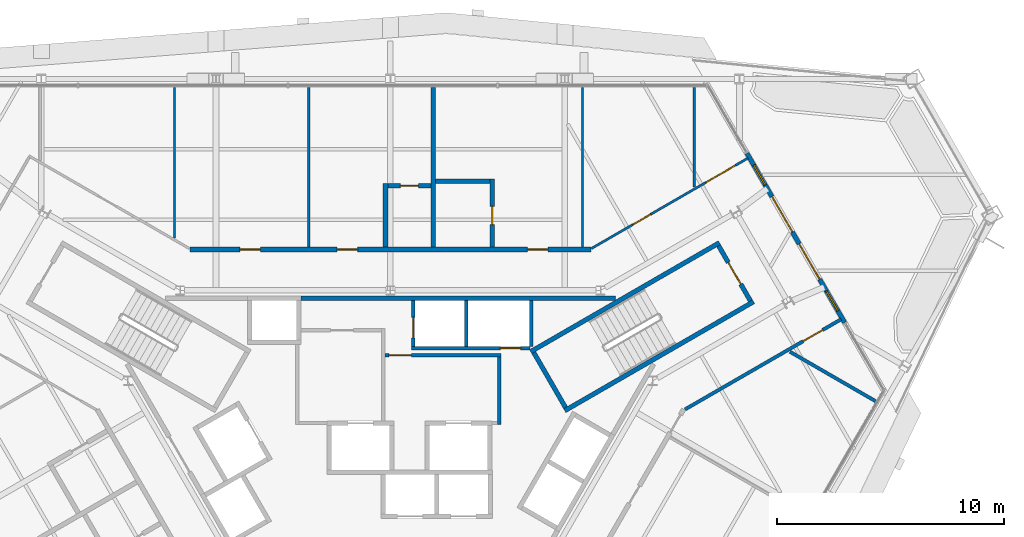
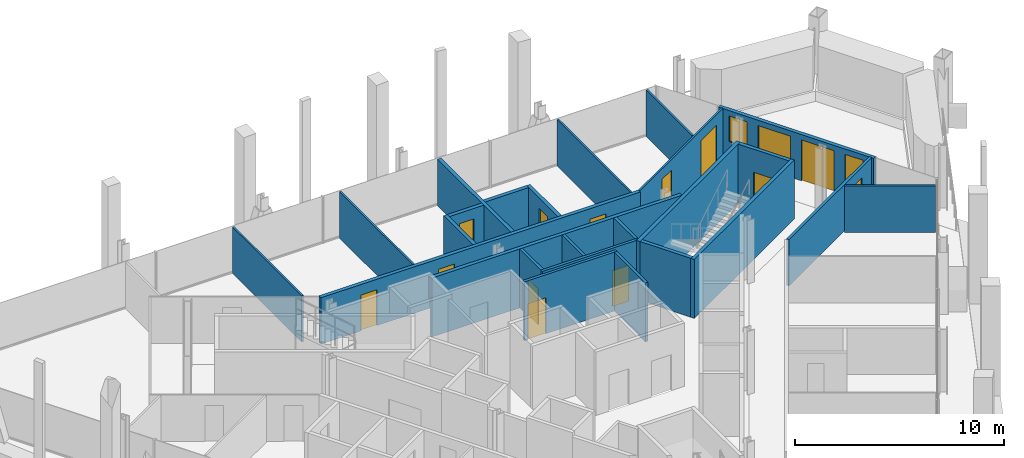
# One storey, part 10 of 13: 25 walls, 14 doors, 2 windows, 16 openings.
"""IFC4 building model written with IfcOpenShell, lengths in metres."""

from ifc_helpers import new_model, si_unit, direction, frame, frame_2d, origin, place, context, subcontext, project, spatial, rectangle, extrude, material, layer, layer_set, type_object, element, fill, save


model = new_model("IFC4")

# Units and contexts
model_context = context("Model", 3, precision=1e-05, world=origin(), true_north=direction((0.0, 1.0)))
body_context = subcontext(model_context, "Body", "Model", "MODEL_VIEW")
ifc_project = project(units=[si_unit("LENGTHUNIT", "METRE"), si_unit("AREAUNIT", "SQUARE_METRE"), si_unit("VOLUMEUNIT", "CUBIC_METRE"), si_unit("PLANEANGLEUNIT", "RADIAN"), si_unit("MASSUNIT", "GRAM", prefix="KILO")], contexts=[model_context])

# Site, building, storey
site_placement = place(None, origin())
site = spatial("IfcSite", under=ifc_project, at=site_placement, CompositionType="ELEMENT")
building_placement = place(site_placement, origin())
building = spatial("IfcBuilding", under=site, at=building_placement, Name="Verrane Prism Tower", CompositionType="ELEMENT")
storey_placement = place(building_placement, frame((0.0, 0.0, 171.0)))
storey = spatial("IfcBuildingStorey", under=building, at=storey_placement, Name="L42", CompositionType="ELEMENT", Elevation=171.0)

# Wall
ifc_material_1 = material(Name="Gypsum board partition", Category="other")
ifc_layer_1 = layer(ifc_material_1, 0.199951171875)
ifc_layer_set_1 = layer_set([ifc_layer_1], Name="CW-200 core boundary wall 2 h")
wall_type_1 = type_object("IfcWallType", Name="CW-200 core boundary wall 2 h", PredefinedType="PARTITIONING", material=ifc_layer_set_1)
wall_1_placement = place(storey_placement, frame((-3.93310546875, 7.659912109375, 0.0), z_axis=(0.0, 0.0, 1.0), x_axis=(1.0, 0.0, 0.0)))
element("IfcWall", 1, at=wall_1_placement, inside=storey, type_object=wall_type_1, Name="Core boundary wall CW3-005", PredefinedType="PARTITIONING", context=body_context, shape_type="SweptSolid", body=[
    extrude(rectangle(XDim=13.841064453125, YDim=0.199951171875, at=frame_2d((6.92041015625, 0.0))), origin(), (0.0, 0.0, 1.0), 3.449951171875),
])

# Wall, opening, door
ifc_material_2 = material(Name="Concrete C40/50", Category="concrete")
ifc_layer_2 = layer(ifc_material_2, 0.199951171875)
ifc_layer_set_2 = layer_set([ifc_layer_2], Name="CW-200 stair core wall concrete C40/50 3 h")
wall_type_2 = type_object("IfcWallType", Name="CW-200 stair core wall concrete C40/50 3 h", PredefinedType="PARTITIONING", material=ifc_layer_set_2)
wall_2_placement = place(storey_placement, frame((15.85546875, 7.53759765625, 0.0), z_axis=(0.0, 0.0, 1.0), x_axis=(-0.500049511043, 0.865996816683, 0.0)))
wall_2 = element("IfcWall", 2, at=wall_2_placement, inside=storey, type_object=wall_type_2, Name="Stair 1 enclosure wall", PredefinedType="PARTITIONING", context=body_context, shape_type="SweptSolid", body=[
    extrude(rectangle(XDim=2.800048828125, YDim=0.199951171875, at=frame_2d((1.39990234375, 0.0))), origin(), (0.0, 0.0, 1.0), 3.449951171875),
])
opening_1_placement = place(wall_2_placement, frame((0.849853515625, 0.0, 0.0)))
opening_1 = element("IfcOpeningElement", 3, at=opening_1_placement, cuts=wall_2, Name="Opening D42500", PredefinedType="OPENING", context=body_context, shape_type="SweptSolid", body=[
    extrude(rectangle(XDim=1.10009765625, YDim=2.10009765625, at=frame_2d((0.550048828125, 1.050048828125))), frame((0.0, 0.10986328125, 0.0), z_axis=(0.0, -1.0, 0.0), x_axis=(1.0, 0.0, 0.0)), (0.0, 0.0, 1.0), 0.219970703125),
])
ifc_material_3 = material(Name="Timber veneered door leaf", Category="wood")
door_type_1 = type_object("IfcDoorType", Name="DR-1100x2100 FD90 single leaf stair", OperationType="NOTDEFINED", PredefinedType="DOOR", material=ifc_material_3)
door_1_placement = place(opening_1_placement, origin())
door_1 = element("IfcDoor", 4, at=door_1_placement, inside=storey, type_object=door_type_1, Name="Stair 1 door", OperationType="SINGLE_SWING_LEFT", OverallHeight=2.10009765625, OverallWidth=1.10009765625, PredefinedType="DOOR", context=body_context, shape_type="SweptSolid", body=[
    extrude(rectangle(XDim=1.10009765625, YDim=2.10009765625, at=frame_2d((0.550048828125, 1.050048828125))), frame((0.0, 0.02490234375, 0.0), z_axis=(0.0, -1.0, 0.0), x_axis=(1.0, 0.0, 0.0)), (0.0, 0.0, 1.0), 0.050048828125),
])
fill(opening_1, door_1)

# Walls
for number, where, z_axis, x_axis, name in (
    (5, (6.17822265625, 5.299072265625, 0.0), (0.0, 0.0, 1.0), (0.866019993635, 0.500009370536, 0.0), "Stair 1 enclosure wall"),
    (6, (7.67822265625, 2.700927734375, 0.0), (0.0, 0.0, 1.0), (0.866019993635, 0.500009370536, 0.0), "Stair 1 enclosure wall"),
):
    element("IfcWall", number, at=place(storey_placement, frame(where, z_axis=z_axis, x_axis=x_axis)), inside=storey, type_object=wall_type_2, Name=name, PredefinedType="PARTITIONING", context=body_context, shape_type="SweptSolid", body=[
        extrude(rectangle(XDim=9.599853515625, YDim=0.199951171875, at=frame_2d((4.7998046875, 0.0))), origin(), (0.0, 0.0, 1.0), 3.449951171875),
    ])
wall_3_placement = place(storey_placement, frame((7.71484375, 2.837646484375, 0.0), z_axis=(0.0, 0.0, 1.0), x_axis=(-0.500049511043, 0.865996816683, 0.0)))
element("IfcWall", 7, at=wall_3_placement, inside=storey, type_object=wall_type_2, Name="Stair 1 enclosure wall", PredefinedType="PARTITIONING", context=body_context, shape_type="SweptSolid", body=[
    extrude(rectangle(XDim=2.800048828125, YDim=0.199951171875, at=frame_2d((1.39990234375, 0.0))), origin(), (0.0, 0.0, 1.0), 3.449951171875),
])

# Wall, openings, doors, windows
ifc_material_4 = material(Name="Aluminium framed insulated glazing", Category="aluminium")
ifc_layer_3 = layer(ifc_material_4, 0.199951171875)
ifc_layer_set_3 = layer_set([ifc_layer_3], Name="Garden screen wall 200")
wall_type_3 = type_object("IfcWallType", Name="Garden screen wall 200", PredefinedType="SOLIDWALL", material=ifc_layer_set_3)
wall_4_placement = place(storey_placement, frame((20.003173828125, 6.58349609375, 0.0), z_axis=(0.0, 0.0, 1.0), x_axis=(-0.499995216735, 0.866028165386, 0.0)))
wall_4 = element("IfcWall", 8, at=wall_4_placement, inside=storey, type_object=wall_type_3, Name="Garden screen wall L42", PredefinedType="SOLIDWALL", context=body_context, shape_type="SweptSolid", body=[
    extrude(rectangle(XDim=8.60009765625, YDim=0.199951171875, at=frame_2d((4.300048828125, 0.0))), origin(), (0.0, 0.0, 1.0), 2.712890625),
])
opening_2_placement = place(wall_4_placement, frame((0.60009765625, 0.0, 0.89990234375)))
opening_2 = element("IfcOpeningElement", 9, at=opening_2_placement, cuts=wall_4, Name="Opening W42701", PredefinedType="OPENING", context=body_context, shape_type="SweptSolid", body=[
    extrude(rectangle(XDim=1.0, YDim=1.5, at=frame_2d((0.5, 0.75))), frame((0.0, 0.10986328125, 0.0), z_axis=(0.0, -1.0, 0.0), x_axis=(1.0, 0.0, 0.0)), (0.0, 0.0, 1.0), 0.219970703125),
])
opening_3_placement = place(wall_4_placement, frame((2.199951171875, 0.0, 0.0)))
opening_3 = element("IfcOpeningElement", 10, at=opening_3_placement, cuts=wall_4, Name="Opening D42701", PredefinedType="OPENING", context=body_context, shape_type="SweptSolid", body=[
    extrude(rectangle(XDim=1.800048828125, YDim=2.39990234375, at=frame_2d((0.89990234375, 1.199951171875))), frame((0.0, 0.10986328125, 0.0), z_axis=(0.0, -1.0, 0.0), x_axis=(1.0, 0.0, 0.0)), (0.0, 0.0, 1.0), 0.219970703125),
])
opening_4_placement = place(wall_4_placement, frame((4.60009765625, 0.0, 0.0)))
opening_4 = element("IfcOpeningElement", 11, at=opening_4_placement, cuts=wall_4, Name="Opening D42702", PredefinedType="OPENING", context=body_context, shape_type="SweptSolid", body=[
    extrude(rectangle(XDim=1.800048828125, YDim=2.39990234375, at=frame_2d((0.89990234375, 1.199951171875))), frame((0.0, 0.10986328125, 0.0), z_axis=(0.0, -1.0, 0.0), x_axis=(1.0, 0.0, 0.0)), (0.0, 0.0, 1.0), 0.219970703125),
])
opening_5_placement = place(wall_4_placement, frame((7.0, 0.0, 0.89990234375)))
opening_5 = element("IfcOpeningElement", 12, at=opening_5_placement, cuts=wall_4, Name="Opening W42702", PredefinedType="OPENING", context=body_context, shape_type="SweptSolid", body=[
    extrude(rectangle(XDim=1.0, YDim=1.5, at=frame_2d((0.5, 0.75))), frame((0.0, 0.10986328125, 0.0), z_axis=(0.0, -1.0, 0.0), x_axis=(1.0, 0.0, 0.0)), (0.0, 0.0, 1.0), 0.219970703125),
])
ifc_material_5 = material(Name="Aluminium framed glazing", Category="aluminium")
door_type_2 = type_object("IfcDoorType", Name="DR-1800x2400 double glazed garden door", OperationType="DOUBLE_DOOR_SINGLE_SWING", PredefinedType="DOOR", material=ifc_material_5)
door_2_placement = place(opening_3_placement, frame((1.800048828125, 0.0, 0.0), z_axis=(0.0, 0.0, 1.0), x_axis=(-1.0, 0.0, 0.0)))
door_2 = element("IfcDoor", 13, at=door_2_placement, inside=storey, type_object=door_type_2, Name="Garden door D42701", OperationType="DOUBLE_DOOR_SINGLE_SWING", OverallHeight=2.39990234375, OverallWidth=1.800048828125, PredefinedType="DOOR", context=body_context, shape_type="SweptSolid", body=[
    extrude(rectangle(XDim=1.800048828125, YDim=2.39990234375, at=frame_2d((0.89990234375, 1.199951171875))), frame((0.0, 0.02490234375, 0.0), z_axis=(0.0, -1.0, 0.0), x_axis=(1.0, 0.0, 0.0)), (0.0, 0.0, 1.0), 0.050048828125),
])
fill(opening_3, door_2)
door_3_placement = place(opening_4_placement, frame((1.800048828125, 0.0, 0.0), z_axis=(0.0, 0.0, 1.0), x_axis=(-1.0, 0.0, 0.0)))
door_3 = element("IfcDoor", 14, at=door_3_placement, inside=storey, type_object=door_type_2, Name="Garden door D42702", OperationType="DOUBLE_DOOR_SINGLE_SWING", OverallHeight=2.39990234375, OverallWidth=1.800048828125, PredefinedType="DOOR", context=body_context, shape_type="SweptSolid", body=[
    extrude(rectangle(XDim=1.800048828125, YDim=2.39990234375, at=frame_2d((0.89990234375, 1.199951171875))), frame((0.0, 0.02490234375, 0.0), z_axis=(0.0, -1.0, 0.0), x_axis=(1.0, 0.0, 0.0)), (0.0, 0.0, 1.0), 0.050048828125),
])
fill(opening_4, door_3)
ifc_material_6 = material(Name="Aluminium framed glazing", Category="aluminium")
window_type = type_object("IfcWindowType", Name="Vent window 1000x1500 top hung", PartitioningType="SINGLE_PANEL", PredefinedType="WINDOW", material=ifc_material_6)
window_1_placement = place(opening_2_placement, origin())
window_1 = element("IfcWindow", 15, at=window_1_placement, inside=storey, type_object=window_type, Name="Vent window W42701", OverallHeight=1.5, OverallWidth=1.0, PartitioningType="SINGLE_PANEL", PredefinedType="WINDOW", context=body_context, shape_type="SweptSolid", body=[
    extrude(rectangle(XDim=1.0, YDim=1.5, at=frame_2d((0.5, 0.75))), frame((0.0, 0.030029296875, 0.0), z_axis=(0.0, -1.0, 0.0), x_axis=(1.0, 0.0, 0.0)), (0.0, 0.0, 1.0), 0.06005859375),
])
fill(opening_2, window_1)
window_2_placement = place(opening_5_placement, origin())
window_2 = element("IfcWindow", 16, at=window_2_placement, inside=storey, type_object=window_type, Name="Vent window W42702", OverallHeight=1.5, OverallWidth=1.0, PartitioningType="SINGLE_PANEL", PredefinedType="WINDOW", context=body_context, shape_type="SweptSolid", body=[
    extrude(rectangle(XDim=1.0, YDim=1.5, at=frame_2d((0.5, 0.75))), frame((0.0, 0.030029296875, 0.0), z_axis=(0.0, -1.0, 0.0), x_axis=(1.0, 0.0, 0.0)), (0.0, 0.0, 1.0), 0.06005859375),
])
fill(opening_5, window_2)

# Wall, opening, door
ifc_material_7 = material(Name="Gypsum board partition", Category="other")
ifc_layer_4 = layer(ifc_material_7, 0.14990234375)
ifc_layer_set_4 = layer_set([ifc_layer_4], Name="LF-150 firefighting lobby wall 1 h")
wall_type_4 = type_object("IfcWallType", Name="LF-150 firefighting lobby wall 1 h", PredefinedType="PARTITIONING", material=ifc_layer_set_4)
wall_5_placement = place(storey_placement, frame((-0.2451171875, 5.139892578125, 0.0), z_axis=(0.0, 0.0, 1.0), x_axis=(1.0, 0.0, 0.0)))
wall_5 = element("IfcWall", 17, at=wall_5_placement, inside=storey, type_object=wall_type_4, Name="Firefighting lobby wall LF1-005", PredefinedType="PARTITIONING", context=body_context, shape_type="SweptSolid", body=[
    extrude(rectangle(XDim=5.110107421875, YDim=0.14990234375, at=frame_2d((2.55517578125, 0.0))), origin(), (0.0, 0.0, 1.0), 3.449951171875),
])
opening_6_placement = place(wall_5_placement, frame((0.175048828125, 0.0, 0.0)))
opening_6 = element("IfcOpeningElement", 18, at=opening_6_placement, cuts=wall_5, Name="Opening D42513", PredefinedType="OPENING", context=body_context, shape_type="SweptSolid", body=[
    extrude(rectangle(XDim=1.0, YDim=2.10009765625, at=frame_2d((0.5, 1.050048828125))), frame((0.0, 0.0849609375, 0.0), z_axis=(0.0, -1.0, 0.0), x_axis=(1.0, 0.0, 0.0)), (0.0, 0.0, 1.0), 0.169921875),
])
ifc_material_8 = material(Name="Timber veneered door leaf", Category="wood")
door_type_3 = type_object("IfcDoorType", Name="DR-1000x2100 FD60 single leaf firefighting lobby", OperationType="NOTDEFINED", PredefinedType="DOOR", material=ifc_material_8)
door_4_placement = place(opening_6_placement, origin())
door_4 = element("IfcDoor", 19, at=door_4_placement, inside=storey, type_object=door_type_3, Name="Firefighting lobby door D42513", OperationType="SINGLE_SWING_LEFT", OverallHeight=2.10009765625, OverallWidth=1.0, PredefinedType="DOOR", context=body_context, shape_type="SweptSolid", body=[
    extrude(rectangle(XDim=1.0, YDim=2.10009765625, at=frame_2d((0.5, 1.050048828125))), frame((0.0, 0.02490234375, 0.0), z_axis=(0.0, -1.0, 0.0), x_axis=(1.0, 0.0, 0.0)), (0.0, 0.0, 1.0), 0.050048828125),
])
fill(opening_6, door_4)

# Walls
wall_6_placement = place(storey_placement, frame((4.7900390625, 2.0849609375, 0.0), z_axis=(0.0, 0.0, 1.0), x_axis=(0.0, 1.0, 0.0)))
element("IfcWall", 20, at=wall_6_placement, inside=storey, type_object=wall_type_4, Name="Firefighting lobby wall LF1-007", PredefinedType="PARTITIONING", context=body_context, shape_type="SweptSolid", body=[
    extrude(rectangle(XDim=2.97998046875, YDim=0.14990234375, at=frame_2d((1.489990234375, 0.0))), origin(), (0.0, 0.0, 1.0), 3.449951171875),
])
ifc_material_9 = material(Name="Gypsum board partition", Category="other")
ifc_layer_5 = layer(ifc_material_9, 0.10009765625)
ifc_layer_set_5 = layer_set([ifc_layer_5], Name="PW-100 room partition")
wall_type_5 = type_object("IfcWallType", Name="PW-100 room partition", PredefinedType="PARTITIONING", material=ifc_layer_set_5)
wall_7_placement = place(storey_placement, frame((-9.5029296875, 10.3056640625, 0.0), z_axis=(0.0, 0.0, 1.0), x_axis=(0.0, 1.0, 0.0)))
element("IfcWall", 21, at=wall_7_placement, inside=storey, type_object=wall_type_5, Name="Room partition 016", PredefinedType="PARTITIONING", context=body_context, shape_type="SweptSolid", body=[
    extrude(rectangle(XDim=6.62939453125, YDim=0.10009765625, at=frame_2d((3.314697265625, 0.0))), origin(), (0.0, 0.0, 1.0), 2.712890625),
])
for number, where, z_axis, x_axis, name in (
    (22, (-3.590087890625, 9.89990234375, 0.0), (0.0, 0.0, 1.0), (0.0, 1.0, 0.0), "Room partition 021"),
    (23, (8.45703125, 9.89990234375, 0.0), (0.0, 0.0, 1.0), (0.0, 1.0, 0.0), "Room partition 035"),
):
    element("IfcWall", number, at=place(storey_placement, frame(where, z_axis=z_axis, x_axis=x_axis)), inside=storey, type_object=wall_type_5, Name=name, PredefinedType="PARTITIONING", context=body_context, shape_type="SweptSolid", body=[
        extrude(rectangle(XDim=7.03515625, YDim=0.10009765625, at=frame_2d((3.517578125, 0.0))), origin(), (0.0, 0.0, 1.0), 2.712890625),
    ])

# Wall, openings, doors
wall_8_placement = place(storey_placement, frame((8.8515625, 9.842529296875, 0.0), z_axis=(0.0, 0.0, 1.0), x_axis=(0.866086037714, 0.499894964244, 0.0)))
wall_8 = element("IfcWall", 24, at=wall_8_placement, inside=storey, type_object=wall_type_5, Name="Room partition 036", PredefinedType="PARTITIONING", context=body_context, shape_type="SweptSolid", body=[
    extrude(rectangle(XDim=7.963134765625, YDim=0.10009765625, at=frame_2d((3.9814453125, 0.0))), origin(), (0.0, 0.0, 1.0), 2.712890625),
])
opening_7_placement = place(wall_8_placement, frame((5.833984375, 0.0, 0.0)))
opening_7 = element("IfcOpeningElement", 25, at=opening_7_placement, cuts=wall_8, Name="Opening D42001", PredefinedType="OPENING", context=body_context, shape_type="SweptSolid", body=[
    extrude(rectangle(XDim=1.5, YDim=2.10009765625, at=frame_2d((0.75, 1.050048828125))), frame((0.0, 0.06005859375, 0.0), z_axis=(0.0, -1.0, 0.0), x_axis=(1.0, 0.0, 0.0)), (0.0, 0.0, 1.0), 0.1201171875),
])
opening_8_placement = place(wall_8_placement, frame((2.114990234375, 0.0, 0.0)))
opening_8 = element("IfcOpeningElement", 26, at=opening_8_placement, cuts=wall_8, Name="Opening D42002", PredefinedType="OPENING", context=body_context, shape_type="SweptSolid", body=[
    extrude(rectangle(XDim=0.89990234375, YDim=2.10009765625, at=frame_2d((0.449951171875, 1.050048828125))), frame((0.0, 0.06005859375, 0.0), z_axis=(0.0, -1.0, 0.0), x_axis=(1.0, 0.0, 0.0)), (0.0, 0.0, 1.0), 0.1201171875),
])
ifc_material_10 = material(Name="Timber veneered door leaf", Category="wood")
door_type_4 = type_object("IfcDoorType", Name="DR-1500x2100 double leaf public", OperationType="NOTDEFINED", PredefinedType="DOOR", material=ifc_material_10)
door_5_placement = place(opening_7_placement, origin())
door_5 = element("IfcDoor", 27, at=door_5_placement, inside=storey, type_object=door_type_4, Name="Sky Garden Lounge door", OperationType="DOUBLE_DOOR_SINGLE_SWING", OverallHeight=2.10009765625, OverallWidth=1.5, PredefinedType="DOOR", context=body_context, shape_type="SweptSolid", body=[
    extrude(rectangle(XDim=1.5, YDim=2.10009765625, at=frame_2d((0.75, 1.050048828125))), frame((0.0, 0.02490234375, 0.0), z_axis=(0.0, -1.0, 0.0), x_axis=(1.0, 0.0, 0.0)), (0.0, 0.0, 1.0), 0.050048828125),
])
fill(opening_7, door_5)
ifc_material_11 = material(Name="Timber veneered door leaf", Category="wood")
door_type_5 = type_object("IfcDoorType", Name="DR-900x2100 single leaf unit", OperationType="NOTDEFINED", PredefinedType="DOOR", material=ifc_material_11)
door_6_placement = place(opening_8_placement, origin())
door_6 = element("IfcDoor", 28, at=door_6_placement, inside=storey, type_object=door_type_5, Name="Kitchen door", OperationType="SINGLE_SWING_RIGHT", OverallHeight=2.10009765625, OverallWidth=0.89990234375, PredefinedType="DOOR", context=body_context, shape_type="SweptSolid", body=[
    extrude(rectangle(XDim=0.89990234375, YDim=2.10009765625, at=frame_2d((0.449951171875, 1.050048828125))), frame((0.0, 0.02490234375, 0.0), z_axis=(0.0, -1.0, 0.0), x_axis=(1.0, 0.0, 0.0)), (0.0, 0.0, 1.0), 0.050048828125),
])
fill(opening_8, door_6)

# Wall
wall_9_placement = place(storey_placement, frame((13.385009765625, 12.545654296875, 0.0), z_axis=(0.0, 0.0, 1.0), x_axis=(0.0, 1.0, 0.0)))
element("IfcWall", 29, at=wall_9_placement, inside=storey, type_object=wall_type_5, Name="Room partition 041", PredefinedType="PARTITIONING", context=body_context, shape_type="SweptSolid", body=[
    extrude(rectangle(XDim=4.389404296875, YDim=0.10009765625, at=frame_2d((2.19482421875, 0.0))), origin(), (0.0, 0.0, 1.0), 2.712890625),
])

# Wall, opening, door
ifc_material_12 = material(Name="Gypsum board partition", Category="other")
ifc_layer_6 = layer(ifc_material_12, 0.14990234375)
ifc_layer_set_6 = layer_set([ifc_layer_6], Name="PW-150 demising wall 1 h")
wall_type_6 = type_object("IfcWallType", Name="PW-150 demising wall 1 h", PredefinedType="PARTITIONING", material=ifc_layer_set_6)
wall_10_placement = place(storey_placement, frame((19.8466796875, 6.724609375, 0.0), z_axis=(0.0, 0.0, 1.0), x_axis=(-0.866069747624, -0.499923186351, 0.0)))
wall_10 = element("IfcWall", 30, at=wall_10_placement, inside=storey, type_object=wall_type_6, Name="Demising wall 040", PredefinedType="PARTITIONING", context=body_context, shape_type="SweptSolid", body=[
    extrude(rectangle(XDim=7.931396484375, YDim=0.14990234375, at=frame_2d((3.9658203125, 0.0))), origin(), (0.0, 0.0, 1.0), 2.712890625),
])
opening_9_placement = place(wall_10_placement, frame((0.92822265625, 0.0, 0.0)))
opening_9 = element("IfcOpeningElement", 31, at=opening_9_placement, cuts=wall_10, Name="Opening D42026", PredefinedType="OPENING", context=body_context, shape_type="SweptSolid", body=[
    extrude(rectangle(XDim=1.0, YDim=2.10009765625, at=frame_2d((0.5, 1.050048828125))), frame((0.0, 0.0849609375, 0.0), z_axis=(0.0, -1.0, 0.0), x_axis=(1.0, 0.0, 0.0)), (0.0, 0.0, 1.0), 0.169921875),
])
ifc_material_13 = material(Name="Timber veneered door leaf", Category="wood")
door_type_6 = type_object("IfcDoorType", Name="DR-1000x2100 FD20 single leaf public", OperationType="NOTDEFINED", PredefinedType="DOOR", material=ifc_material_13)
door_7_placement = place(opening_9_placement, origin())
door_7 = element("IfcDoor", 32, at=door_7_placement, inside=storey, type_object=door_type_6, Name="Sky Garden Lounge door", OperationType="SINGLE_SWING_LEFT", OverallHeight=2.10009765625, OverallWidth=1.0, PredefinedType="DOOR", context=body_context, shape_type="SweptSolid", body=[
    extrude(rectangle(XDim=1.0, YDim=2.10009765625, at=frame_2d((0.5, 1.050048828125))), frame((0.0, 0.02490234375, 0.0), z_axis=(0.0, -1.0, 0.0), x_axis=(1.0, 0.0, 0.0)), (0.0, 0.0, 1.0), 0.050048828125),
])
fill(opening_9, door_7)

# Wall
wall_11_placement = place(storey_placement, frame((17.596435546875, 5.296142578125, 0.0), z_axis=(0.0, 0.0, 1.0), x_axis=(0.866038665277, -0.499977029717, 0.0)))
element("IfcWall", 33, at=wall_11_placement, inside=storey, type_object=wall_type_6, Name="Demising wall 042", PredefinedType="PARTITIONING", context=body_context, shape_type="SweptSolid", body=[
    extrude(rectangle(XDim=4.344482421875, YDim=0.14990234375, at=frame_2d((2.17236328125, 0.0))), origin(), (0.0, 0.0, 1.0), 2.712890625),
])

# Wall, openings, doors
ifc_material_14 = material(Name="Gypsum board partition", Category="other")
ifc_layer_7 = layer(ifc_material_14, 0.199951171875)
ifc_layer_set_7 = layer_set([ifc_layer_7], Name="PW-200 plumbing wall")
wall_type_7 = type_object("IfcWallType", Name="PW-200 plumbing wall", PredefinedType="PARTITIONING", material=ifc_layer_set_7)
wall_12_placement = place(storey_placement, frame((-8.827880859375, 9.800048828125, 0.0), z_axis=(0.0, 0.0, 1.0), x_axis=(1.0, 0.0, 0.0)))
wall_12 = element("IfcWall", 34, at=wall_12_placement, inside=storey, type_object=wall_type_7, Name="Plumbing wall 017", PredefinedType="PARTITIONING", context=body_context, shape_type="SweptSolid", body=[
    extrude(rectangle(XDim=17.65576171875, YDim=0.199951171875, at=frame_2d((8.827880859375, 0.0))), origin(), (0.0, 0.0, 1.0), 2.712890625),
])
opening_10_placement = place(wall_12_placement, frame((14.864013671875, 0.0, 0.0)))
opening_10 = element("IfcOpeningElement", 35, at=opening_10_placement, cuts=wall_12, Name="Opening D42003", PredefinedType="OPENING", context=body_context, shape_type="SweptSolid", body=[
    extrude(rectangle(XDim=0.89990234375, YDim=2.10009765625, at=frame_2d((0.449951171875, 1.050048828125))), frame((0.0, 0.10986328125, 0.0), z_axis=(0.0, -1.0, 0.0), x_axis=(1.0, 0.0, 0.0)), (0.0, 0.0, 1.0), 0.219970703125),
])
opening_11_placement = place(wall_12_placement, frame((6.488037109375, 0.0, 0.0)))
opening_11 = element("IfcOpeningElement", 36, at=opening_11_placement, cuts=wall_12, Name="Opening D42005", PredefinedType="OPENING", context=body_context, shape_type="SweptSolid", body=[
    extrude(rectangle(XDim=0.89990234375, YDim=2.10009765625, at=frame_2d((0.449951171875, 1.050048828125))), frame((0.0, 0.10986328125, 0.0), z_axis=(0.0, -1.0, 0.0), x_axis=(1.0, 0.0, 0.0)), (0.0, 0.0, 1.0), 0.219970703125),
])
opening_12_placement = place(wall_12_placement, frame((2.199951171875, 0.0, 0.0)))
opening_12 = element("IfcOpeningElement", 37, at=opening_12_placement, cuts=wall_12, Name="Opening D42007", PredefinedType="OPENING", context=body_context, shape_type="SweptSolid", body=[
    extrude(rectangle(XDim=0.89990234375, YDim=2.10009765625, at=frame_2d((0.449951171875, 1.050048828125))), frame((0.0, 0.10986328125, 0.0), z_axis=(0.0, -1.0, 0.0), x_axis=(1.0, 0.0, 0.0)), (0.0, 0.0, 1.0), 0.219970703125),
])
ifc_material_15 = material(Name="Timber veneered door leaf", Category="wood")
door_type_7 = type_object("IfcDoorType", Name="DR-900x2100 single leaf inner", OperationType="NOTDEFINED", PredefinedType="DOOR", material=ifc_material_15)
door_8_placement = place(opening_10_placement, origin())
door_8 = element("IfcDoor", 38, at=door_8_placement, inside=storey, type_object=door_type_7, Name="Master Bedroom door", OperationType="SINGLE_SWING_LEFT", OverallHeight=2.10009765625, OverallWidth=0.89990234375, PredefinedType="DOOR", context=body_context, shape_type="SweptSolid", body=[
    extrude(rectangle(XDim=0.89990234375, YDim=2.10009765625, at=frame_2d((0.449951171875, 1.050048828125))), frame((0.0, 0.02490234375, 0.0), z_axis=(0.0, -1.0, 0.0), x_axis=(1.0, 0.0, 0.0)), (0.0, 0.0, 1.0), 0.050048828125),
])
fill(opening_10, door_8)
door_9_placement = place(opening_11_placement, origin())
door_9 = element("IfcDoor", 39, at=door_9_placement, inside=storey, type_object=door_type_7, Name="Bedroom door", OperationType="SINGLE_SWING_LEFT", OverallHeight=2.10009765625, OverallWidth=0.89990234375, PredefinedType="DOOR", context=body_context, shape_type="SweptSolid", body=[
    extrude(rectangle(XDim=0.89990234375, YDim=2.10009765625, at=frame_2d((0.449951171875, 1.050048828125))), frame((0.0, 0.02490234375, 0.0), z_axis=(0.0, -1.0, 0.0), x_axis=(1.0, 0.0, 0.0)), (0.0, 0.0, 1.0), 0.050048828125),
])
fill(opening_11, door_9)
door_10_placement = place(opening_12_placement, origin())
door_10 = element("IfcDoor", 40, at=door_10_placement, inside=storey, type_object=door_type_5, Name="Study door", OperationType="SINGLE_SWING_LEFT", OverallHeight=2.10009765625, OverallWidth=0.89990234375, PredefinedType="DOOR", context=body_context, shape_type="SweptSolid", body=[
    extrude(rectangle(XDim=0.89990234375, YDim=2.10009765625, at=frame_2d((0.449951171875, 1.050048828125))), frame((0.0, 0.02490234375, 0.0), z_axis=(0.0, -1.0, 0.0), x_axis=(1.0, 0.0, 0.0)), (0.0, 0.0, 1.0), 0.050048828125),
])
fill(opening_12, door_10)

# Wall
wall_13_placement = place(storey_placement, frame((-0.214111328125, 9.89990234375, 0.0), z_axis=(0.0, 0.0, 1.0), x_axis=(0.0, 1.0, 0.0)))
element("IfcWall", 41, at=wall_13_placement, inside=storey, type_object=wall_type_7, Name="Plumbing wall 022", PredefinedType="PARTITIONING", context=body_context, shape_type="SweptSolid", body=[
    extrude(rectangle(XDim=2.800048828125, YDim=0.199951171875, at=frame_2d((1.39990234375, 0.0))), origin(), (0.0, 0.0, 1.0), 2.712890625),
])

# Wall, opening, door
wall_14_placement = place(storey_placement, frame((1.785888671875, 12.60009765625, 0.0), z_axis=(0.0, 0.0, 1.0), x_axis=(-1.0, 0.0, 0.0)))
wall_14 = element("IfcWall", 42, at=wall_14_placement, inside=storey, type_object=wall_type_7, Name="Plumbing wall 023", PredefinedType="PARTITIONING", context=body_context, shape_type="SweptSolid", body=[
    extrude(rectangle(XDim=1.89990234375, YDim=0.199951171875, at=frame_2d((0.949951171875, 0.0))), origin(), (0.0, 0.0, 1.0), 2.712890625),
])
opening_13_placement = place(wall_14_placement, frame((0.550048828125, 0.0, 0.0)))
opening_13 = element("IfcOpeningElement", 43, at=opening_13_placement, cuts=wall_14, Name="Opening D42006", PredefinedType="OPENING", context=body_context, shape_type="SweptSolid", body=[
    extrude(rectangle(XDim=0.800048828125, YDim=2.10009765625, at=frame_2d((0.39990234375, 1.050048828125))), frame((0.0, 0.10986328125, 0.0), z_axis=(0.0, -1.0, 0.0), x_axis=(1.0, 0.0, 0.0)), (0.0, 0.0, 1.0), 0.219970703125),
])
ifc_material_16 = material(Name="Timber veneered door leaf", Category="wood")
door_type_8 = type_object("IfcDoorType", Name="DR-800x2100 single leaf bath", OperationType="NOTDEFINED", PredefinedType="DOOR", material=ifc_material_16)
door_11_placement = place(opening_13_placement, origin())
door_11 = element("IfcDoor", 44, at=door_11_placement, inside=storey, type_object=door_type_8, Name="Bathroom door", OperationType="SINGLE_SWING_LEFT", OverallHeight=2.10009765625, OverallWidth=0.800048828125, PredefinedType="DOOR", context=body_context, shape_type="SweptSolid", body=[
    extrude(rectangle(XDim=0.800048828125, YDim=2.10009765625, at=frame_2d((0.39990234375, 1.050048828125))), frame((0.0, 0.02490234375, 0.0), z_axis=(0.0, -1.0, 0.0), x_axis=(1.0, 0.0, 0.0)), (0.0, 0.0, 1.0), 0.050048828125),
])
fill(opening_13, door_11)

# Walls
wall_15_placement = place(storey_placement, frame((1.885986328125, 9.89990234375, 0.0), z_axis=(0.0, 0.0, 1.0), x_axis=(0.0, 1.0, 0.0)))
element("IfcWall", 45, at=wall_15_placement, inside=storey, type_object=wall_type_7, Name="Plumbing wall 024", PredefinedType="PARTITIONING", context=body_context, shape_type="SweptSolid", body=[
    extrude(rectangle(XDim=7.03515625, YDim=0.199951171875, at=frame_2d((3.517578125, 0.0))), origin(), (0.0, 0.0, 1.0), 2.712890625),
])
wall_16_placement = place(storey_placement, frame((1.986083984375, 12.800048828125, 0.0), z_axis=(0.0, 0.0, 1.0), x_axis=(1.0, 0.0, 0.0)))
element("IfcWall", 46, at=wall_16_placement, inside=storey, type_object=wall_type_7, Name="Plumbing wall 025", PredefinedType="PARTITIONING", context=body_context, shape_type="SweptSolid", body=[
    extrude(rectangle(XDim=2.39990234375, YDim=0.199951171875, at=frame_2d((1.199951171875, 0.0))), origin(), (0.0, 0.0, 1.0), 2.712890625),
])

# Wall, opening, door
wall_17_placement = place(storey_placement, frame((4.486083984375, 9.89990234375, 0.0), z_axis=(0.0, 0.0, 1.0), x_axis=(0.0, 1.0, 0.0)))
wall_17 = element("IfcWall", 47, at=wall_17_placement, inside=storey, type_object=wall_type_7, Name="Plumbing wall 030", PredefinedType="PARTITIONING", context=body_context, shape_type="SweptSolid", body=[
    extrude(rectangle(XDim=3.0, YDim=0.199951171875, at=frame_2d((1.5, 0.0))), origin(), (0.0, 0.0, 1.0), 2.712890625),
])
opening_14_placement = place(wall_17_placement, frame((1.0, 0.0, 0.0)))
opening_14 = element("IfcOpeningElement", 48, at=opening_14_placement, cuts=wall_17, Name="Opening D42004", PredefinedType="OPENING", context=body_context, shape_type="SweptSolid", body=[
    extrude(rectangle(XDim=0.800048828125, YDim=2.10009765625, at=frame_2d((0.39990234375, 1.050048828125))), frame((0.0, 0.10986328125, 0.0), z_axis=(0.0, -1.0, 0.0), x_axis=(1.0, 0.0, 0.0)), (0.0, 0.0, 1.0), 0.219970703125),
])
door_12_placement = place(opening_14_placement, origin())
door_12 = element("IfcDoor", 49, at=door_12_placement, inside=storey, type_object=door_type_8, Name="Master Bathroom door", OperationType="SINGLE_SWING_RIGHT", OverallHeight=2.10009765625, OverallWidth=0.800048828125, PredefinedType="DOOR", context=body_context, shape_type="SweptSolid", body=[
    extrude(rectangle(XDim=0.800048828125, YDim=2.10009765625, at=frame_2d((0.39990234375, 1.050048828125))), frame((0.0, 0.02490234375, 0.0), z_axis=(0.0, -1.0, 0.0), x_axis=(1.0, 0.0, 0.0)), (0.0, 0.0, 1.0), 0.050048828125),
])
fill(opening_14, door_12)

ifc_material_17 = material(Name="Gypsum board partition", Category="other")
ifc_layer_8 = layer(ifc_material_17, 0.14990234375)
ifc_layer_set_8 = layer_set([ifc_layer_8], Name="RS-150 riser enclosure wall 1 h")
wall_type_8 = type_object("IfcWallType", Name="RS-150 riser enclosure wall 1 h", PredefinedType="PARTITIONING", material=ifc_layer_set_8)
wall_18_placement = place(storey_placement, frame((1.0, 7.56005859375, 0.0), z_axis=(0.0, 0.0, 1.0), x_axis=(0.0, -1.0, 0.0)))
wall_18 = element("IfcWall", 50, at=wall_18_placement, inside=storey, type_object=wall_type_8, Name="Riser wall RS3-003", PredefinedType="PARTITIONING", context=body_context, shape_type="SweptSolid", body=[
    extrude(rectangle(XDim=2.025146484375, YDim=0.14990234375, at=frame_2d((1.0126953125, 0.0))), origin(), (0.0, 0.0, 1.0), 3.449951171875),
])
opening_15_placement = place(wall_18_placement, frame((0.75, 0.0, 0.0)))
opening_15 = element("IfcOpeningElement", 51, at=opening_15_placement, cuts=wall_18, Name="Opening D42514", PredefinedType="OPENING", context=body_context, shape_type="SweptSolid", body=[
    extrude(rectangle(XDim=0.89990234375, YDim=2.10009765625, at=frame_2d((0.449951171875, 1.050048828125))), frame((0.0, 0.0849609375, 0.0), z_axis=(0.0, -1.0, 0.0), x_axis=(1.0, 0.0, 0.0)), (0.0, 0.0, 1.0), 0.169921875),
])
ifc_material_18 = material(Name="Timber veneered door leaf", Category="wood")
door_type_9 = type_object("IfcDoorType", Name="DR-900x2100 FD60 single leaf riser", OperationType="NOTDEFINED", PredefinedType="DOOR", material=ifc_material_18)
door_13_placement = place(opening_15_placement, origin())
door_13 = element("IfcDoor", 52, at=door_13_placement, inside=storey, type_object=door_type_9, Name="Riser door D42514", OperationType="SINGLE_SWING_RIGHT", OverallHeight=2.10009765625, OverallWidth=0.89990234375, PredefinedType="DOOR", context=body_context, shape_type="SweptSolid", body=[
    extrude(rectangle(XDim=0.89990234375, YDim=2.10009765625, at=frame_2d((0.449951171875, 1.050048828125))), frame((0.0, 0.02490234375, 0.0), z_axis=(0.0, -1.0, 0.0), x_axis=(1.0, 0.0, 0.0)), (0.0, 0.0, 1.0), 0.050048828125),
])
fill(opening_15, door_13)

wall_19_placement = place(storey_placement, frame((0.925048828125, 5.4599609375, 0.0), z_axis=(0.0, 0.0, 1.0), x_axis=(1.0, 0.0, 0.0)))
wall_19 = element("IfcWall", 53, at=wall_19_placement, inside=storey, type_object=wall_type_8, Name="Riser wall RS3-004", PredefinedType="PARTITIONING", context=body_context, shape_type="SweptSolid", body=[
    extrude(rectangle(XDim=5.219970703125, YDim=0.14990234375, at=frame_2d((2.60986328125, 0.0))), origin(), (0.0, 0.0, 1.0), 3.449951171875),
])
opening_16_placement = place(wall_19_placement, frame((3.9150390625, 0.0, 0.0)))
opening_16 = element("IfcOpeningElement", 54, at=opening_16_placement, cuts=wall_19, Name="Opening D42515", PredefinedType="OPENING", context=body_context, shape_type="SweptSolid", body=[
    extrude(rectangle(XDim=0.89990234375, YDim=2.10009765625, at=frame_2d((0.449951171875, 1.050048828125))), frame((0.0, 0.0849609375, 0.0), z_axis=(0.0, -1.0, 0.0), x_axis=(1.0, 0.0, 0.0)), (0.0, 0.0, 1.0), 0.169921875),
])
door_14_placement = place(opening_16_placement, origin())
door_14 = element("IfcDoor", 55, at=door_14_placement, inside=storey, type_object=door_type_9, Name="Riser door D42515", OperationType="SINGLE_SWING_RIGHT", OverallHeight=2.10009765625, OverallWidth=0.89990234375, PredefinedType="DOOR", context=body_context, shape_type="SweptSolid", body=[
    extrude(rectangle(XDim=0.89990234375, YDim=2.10009765625, at=frame_2d((0.449951171875, 1.050048828125))), frame((0.0, 0.02490234375, 0.0), z_axis=(0.0, -1.0, 0.0), x_axis=(1.0, 0.0, 0.0)), (0.0, 0.0, 1.0), 0.050048828125),
])
fill(opening_16, door_14)

# Walls
for number, where, z_axis, x_axis, name in (
    (56, (3.340087890625, 5.534912109375, 0.0), (0.0, 0.0, 1.0), (0.0, 1.0, 0.0), "Riser wall RS3-005"),
    (57, (6.199951171875, 5.534912109375, 0.0), (0.0, 0.0, 1.0), (0.0, 1.0, 0.0), "Riser wall RS3-006"),
):
    element("IfcWall", number, at=place(storey_placement, frame(where, z_axis=z_axis, x_axis=x_axis)), inside=storey, type_object=wall_type_8, Name=name, PredefinedType="PARTITIONING", context=body_context, shape_type="SweptSolid", body=[
        extrude(rectangle(XDim=2.025146484375, YDim=0.14990234375, at=frame_2d((1.0126953125, 0.0))), origin(), (0.0, 0.0, 1.0), 3.449951171875),
    ])

save(model, "model.ifc")
